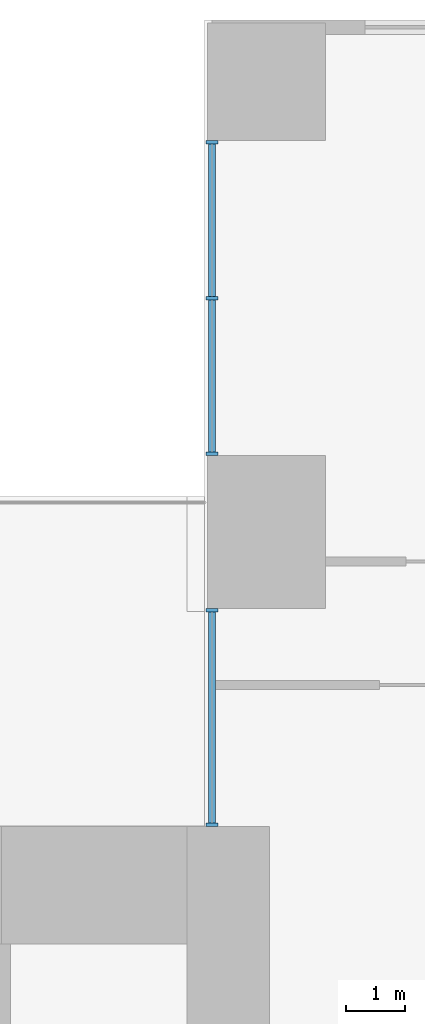
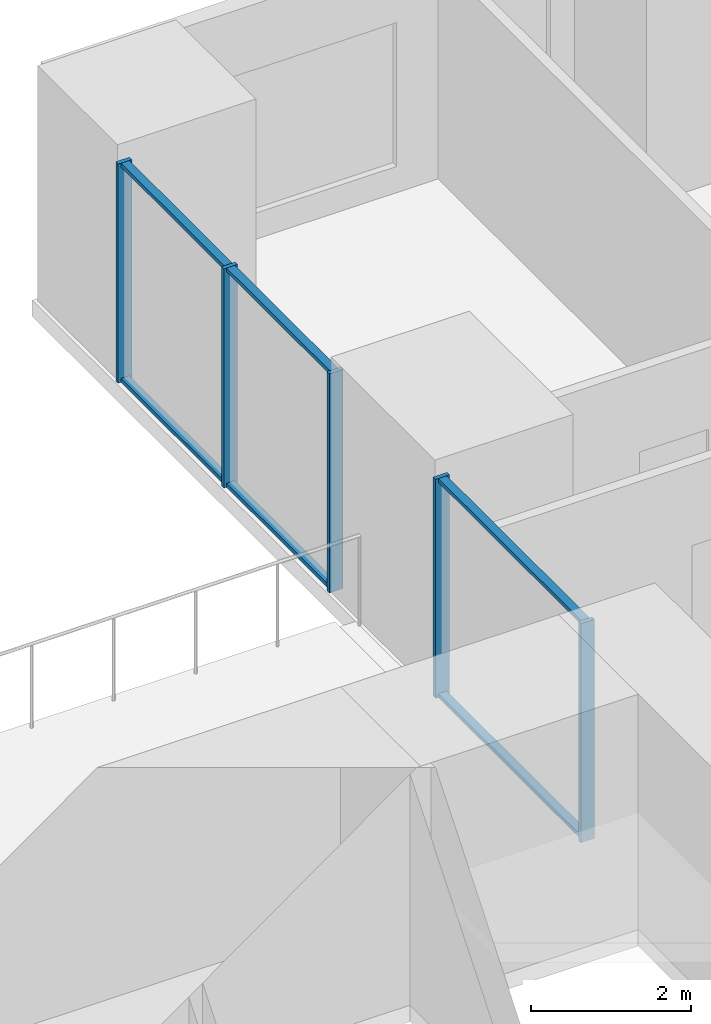
# One storey, part 5 of 20: 11 members, 2 elements without a shape of their own.
"""IFC4 building model written with IfcOpenShell, lengths in metres."""

from ifc_helpers import new_model, si_unit, direction, frame, origin, origin_2d, place, context, subcontext, project, spatial, rectangle, extrude, material, layer, layer_set, material_profile, profile_set, type_object, element, aggregate, save


model = new_model("IFC4")

# Units and contexts
model_context = context("Model", 3, precision=1e-05, world=origin(), true_north=direction((0.0, 1.0)))
body_context = subcontext(model_context, "Body", "Model", "MODEL_VIEW")
ifc_project = project(units=[si_unit("LENGTHUNIT", "METRE"), si_unit("AREAUNIT", "SQUARE_METRE"), si_unit("VOLUMEUNIT", "CUBIC_METRE"), si_unit("PLANEANGLEUNIT", "RADIAN"), si_unit("MASSUNIT", "GRAM", prefix="KILO")], contexts=[model_context])

# Site, building, storey
site_placement = place(None, origin())
site = spatial("IfcSite", under=ifc_project, at=site_placement, CompositionType="ELEMENT")
building_placement = place(site_placement, origin())
building = spatial("IfcBuilding", under=site, at=building_placement, Name="Cleftline Residences", CompositionType="ELEMENT")
storey_placement = place(building_placement, frame((0.0, 0.0, 96.199951171875)))
storey = spatial("IfcBuildingStorey", under=building, at=storey_placement, Name="L24", CompositionType="ELEMENT", Elevation=96.199951171875)

# Curtain wall, members
ifc_material_1 = material(Name="Aluminium framed curtain wall", Category="aluminium")
ifc_layer = layer(ifc_material_1, 0.199951171875)
ifc_layer_set = layer_set([ifc_layer], Name="CW1 CLEFT GLAZING")
curtain_wall_type = type_object("IfcCurtainWallType", Name="CW1 CLEFT GLAZING", PredefinedType="NOTDEFINED", material=ifc_layer_set)
curtain_wall_1_placement = place(storey_placement, origin())
curtain_wall_1 = element("IfcCurtainWall", 1, at=curtain_wall_1_placement, inside=storey, type_object=curtain_wall_type, Name="Curtain wall CW1", PredefinedType="NOTDEFINED")
ifc_material_2 = material(Name="Aluminium mullion", Category="aluminium")
ifc_material_profile_1 = material_profile(ifc_material_2, rectangle(XDim=0.199951171875, YDim=0.06005859375, at=origin_2d()))
ifc_profile_set_1 = profile_set([ifc_material_profile_1], Name="Aluminium mullion")
member_type_1 = type_object("IfcMemberType", Name="CW1 MULLION", PredefinedType="MULLION", material=ifc_profile_set_1)
member_1_placement = place(storey_placement, frame((41.425048828125, 46.6201171875, 0.0), z_axis=(0.0, 0.0, 1.0), x_axis=(1.0, 0.0, 0.0)))
member_1 = element("IfcMember", 2, at=member_1_placement, type_object=member_type_1, Name="CW1 mullion 1", PredefinedType="MULLION", context=body_context, shape_type="SweptSolid", body=[
    extrude(rectangle(XDim=0.199951171875, YDim=0.06005859375, at=origin_2d()), origin(), (0.0, 0.0, 1.0), 3.35009765625),
])
member_2_placement = place(storey_placement, frame((41.425048828125, 43.97509765625, 0.0), z_axis=(0.0, 0.0, 1.0), x_axis=(1.0, 0.0, 0.0)))
member_2 = element("IfcMember", 3, at=member_2_placement, type_object=member_type_1, Name="CW1 mullion 2", PredefinedType="MULLION", context=body_context, shape_type="SweptSolid", body=[
    extrude(rectangle(XDim=0.199951171875, YDim=0.06005859375, at=origin_2d()), origin(), (0.0, 0.0, 1.0), 3.35009765625),
])
member_3_placement = place(storey_placement, frame((41.425048828125, 41.330078125, 0.0), z_axis=(0.0, 0.0, 1.0), x_axis=(1.0, 0.0, 0.0)))
member_3 = element("IfcMember", 4, at=member_3_placement, type_object=member_type_1, Name="CW1 mullion 3", PredefinedType="MULLION", context=body_context, shape_type="SweptSolid", body=[
    extrude(rectangle(XDim=0.199951171875, YDim=0.06005859375, at=origin_2d()), origin(), (0.0, 0.0, 1.0), 3.35009765625),
])

curtain_wall_2_placement = place(storey_placement, origin())
curtain_wall_2 = element("IfcCurtainWall", 5, at=curtain_wall_2_placement, inside=storey, type_object=curtain_wall_type, Name="Curtain wall CW1", PredefinedType="NOTDEFINED")
member_4_placement = place(storey_placement, frame((41.425048828125, 38.669921875, 0.0), z_axis=(0.0, 0.0, 1.0), x_axis=(1.0, 0.0, 0.0)))
member_4 = element("IfcMember", 6, at=member_4_placement, type_object=member_type_1, Name="CW1 mullion 1", PredefinedType="MULLION", context=body_context, shape_type="SweptSolid", body=[
    extrude(rectangle(XDim=0.199951171875, YDim=0.06005859375, at=origin_2d()), origin(), (0.0, 0.0, 1.0), 3.35009765625),
])
member_5_placement = place(storey_placement, frame((41.425048828125, 35.030029296875, 0.0), z_axis=(0.0, 0.0, 1.0), x_axis=(1.0, 0.0, 0.0)))
member_5 = element("IfcMember", 7, at=member_5_placement, type_object=member_type_1, Name="CW1 mullion 2", PredefinedType="MULLION", context=body_context, shape_type="SweptSolid", body=[
    extrude(rectangle(XDim=0.199951171875, YDim=0.06005859375, at=origin_2d()), origin(), (0.0, 0.0, 1.0), 3.35009765625),
])

# Member
ifc_material_3 = material(Name="Aluminium transom", Category="aluminium")
ifc_material_profile_2 = material_profile(ifc_material_3, rectangle(XDim=0.1201171875, YDim=0.06005859375, at=origin_2d()))
ifc_profile_set_2 = profile_set([ifc_material_profile_2], Name="Aluminium transom")
member_type_2 = type_object("IfcMemberType", Name="CW1 TRANSOM", PredefinedType="USERDEFINED", material=ifc_profile_set_2)
member_6_placement = place(storey_placement, frame((41.425048828125, 46.590087890625, 0.030029296875), z_axis=(0.0, -1.0, 0.0), x_axis=(1.0, 0.0, 0.0)))
member_6 = element("IfcMember", 8, at=member_6_placement, type_object=member_type_2, Name="CW1 transom 1.1", ObjectType="TRANSOM", PredefinedType="USERDEFINED", context=body_context, shape_type="SweptSolid", body=[
    extrude(rectangle(XDim=0.1201171875, YDim=0.06005859375, at=origin_2d()), origin(), (0.0, 0.0, 1.0), 2.585205078125),
])

member_7_placement = place(storey_placement, frame((41.425048828125, 46.590087890625, 3.320068359375), z_axis=(0.0, -1.0, 0.0), x_axis=(1.0, 0.0, 0.0)))
member_7 = element("IfcMember", 9, at=member_7_placement, type_object=member_type_2, Name="CW1 transom 1.2", ObjectType="TRANSOM", PredefinedType="USERDEFINED", context=body_context, shape_type="SweptSolid", body=[
    extrude(rectangle(XDim=0.1201171875, YDim=0.06005859375, at=origin_2d()), origin(), (0.0, 0.0, 1.0), 2.585205078125),
])

member_8_placement = place(storey_placement, frame((41.425048828125, 43.945068359375, 0.030029296875), z_axis=(0.0, -1.0, 0.0), x_axis=(1.0, 0.0, 0.0)))
member_8 = element("IfcMember", 10, at=member_8_placement, type_object=member_type_2, Name="CW1 transom 2.1", ObjectType="TRANSOM", PredefinedType="USERDEFINED", context=body_context, shape_type="SweptSolid", body=[
    extrude(rectangle(XDim=0.1201171875, YDim=0.06005859375, at=origin_2d()), origin(), (0.0, 0.0, 1.0), 2.5849609375),
])

member_9_placement = place(storey_placement, frame((41.425048828125, 43.945068359375, 3.320068359375), z_axis=(0.0, -1.0, 0.0), x_axis=(1.0, 0.0, 0.0)))
member_9 = element("IfcMember", 11, at=member_9_placement, type_object=member_type_2, Name="CW1 transom 2.2", ObjectType="TRANSOM", PredefinedType="USERDEFINED", context=body_context, shape_type="SweptSolid", body=[
    extrude(rectangle(XDim=0.1201171875, YDim=0.06005859375, at=origin_2d()), origin(), (0.0, 0.0, 1.0), 2.5849609375),
])

aggregate(curtain_wall_1, [member_1, member_2, member_3, member_6, member_7, member_8, member_9])

member_10_placement = place(storey_placement, frame((41.425048828125, 38.639892578125, 0.030029296875), z_axis=(0.0, -1.0, 0.0), x_axis=(1.0, 0.0, 0.0)))
member_10 = element("IfcMember", 12, at=member_10_placement, type_object=member_type_2, Name="CW1 transom 1.1", ObjectType="TRANSOM", PredefinedType="USERDEFINED", context=body_context, shape_type="SweptSolid", body=[
    extrude(rectangle(XDim=0.1201171875, YDim=0.06005859375, at=origin_2d()), origin(), (0.0, 0.0, 1.0), 3.579833984375),
])

member_11_placement = place(storey_placement, frame((41.425048828125, 38.639892578125, 3.320068359375), z_axis=(0.0, -1.0, 0.0), x_axis=(1.0, 0.0, 0.0)))
member_11 = element("IfcMember", 13, at=member_11_placement, type_object=member_type_2, Name="CW1 transom 1.2", ObjectType="TRANSOM", PredefinedType="USERDEFINED", context=body_context, shape_type="SweptSolid", body=[
    extrude(rectangle(XDim=0.1201171875, YDim=0.06005859375, at=origin_2d()), origin(), (0.0, 0.0, 1.0), 3.579833984375),
])

aggregate(curtain_wall_2, [member_4, member_5, member_10, member_11])

save(model, "model.ifc")
